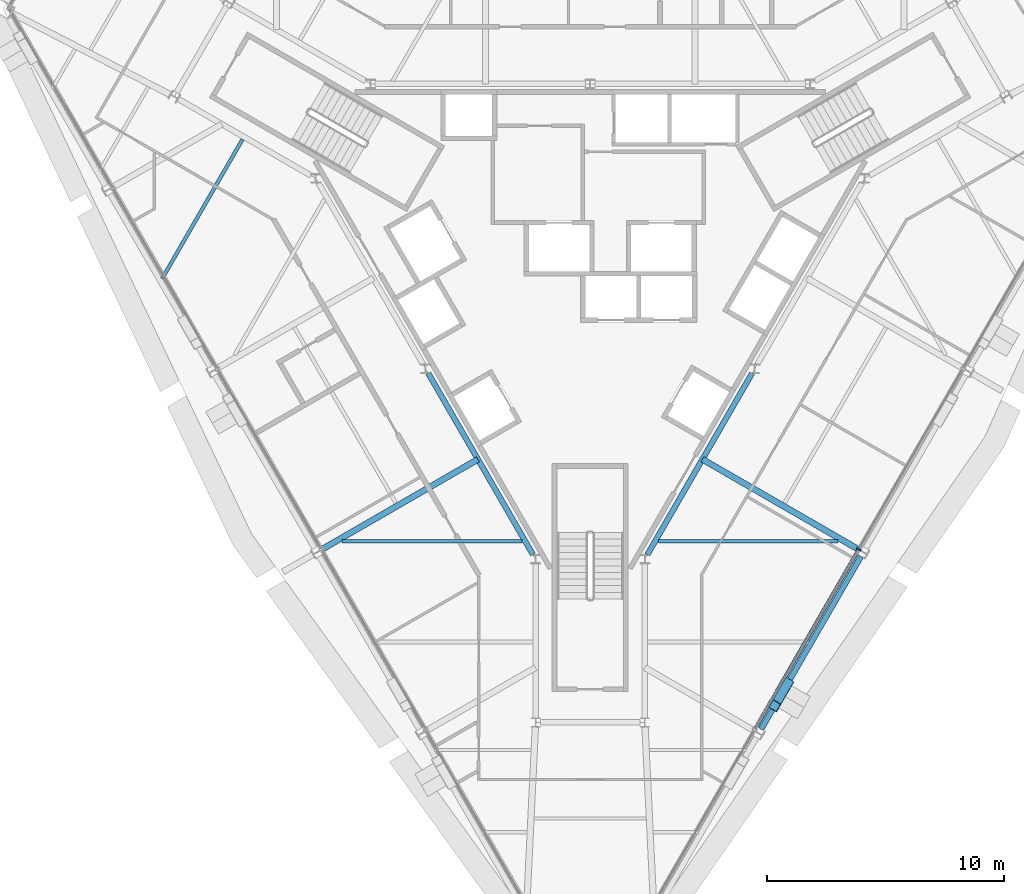
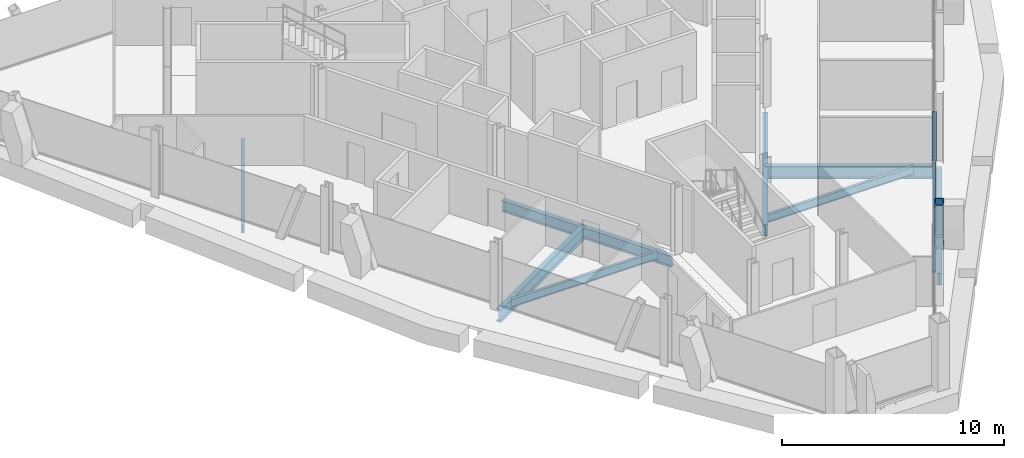
# One storey, part 4 of 14: 8 beams, 3 members, 1 element without a shape of its own.
"""IFC4 building model written with IfcOpenShell, lengths in metres."""

from ifc_helpers import new_model, si_unit, direction, frame, origin, origin_2d, place, context, subcontext, project, spatial, rectangle, hollow_rectangle, i_section, extrude, material, material_profile, profile_set, type_object, element, aggregate, save


model = new_model("IFC4")

# Units and contexts
model_context = context("Model", 3, precision=1e-05, world=origin(), true_north=direction((0.0, 1.0)))
body_context = subcontext(model_context, "Body", "Model", "MODEL_VIEW")
ifc_project = project(units=[si_unit("LENGTHUNIT", "METRE"), si_unit("AREAUNIT", "SQUARE_METRE"), si_unit("VOLUMEUNIT", "CUBIC_METRE"), si_unit("PLANEANGLEUNIT", "RADIAN"), si_unit("MASSUNIT", "GRAM", prefix="KILO")], contexts=[model_context])

# Site, building, storey
site_placement = place(None, origin())
site = spatial("IfcSite", under=ifc_project, at=site_placement, CompositionType="ELEMENT")
building_placement = place(site_placement, origin())
building = spatial("IfcBuilding", under=site, at=building_placement, Name="Verrane Prism Tower", CompositionType="ELEMENT")
storey_placement = place(building_placement, frame((0.0, 0.0, 224.89990234375)))
storey = spatial("IfcBuildingStorey", under=building, at=storey_placement, Name="L56", CompositionType="ELEMENT", Elevation=224.89990234375)

# Beams
ifc_material_1 = material(Name="Steel A992", Category="steel")
ifc_material_profile_1 = material_profile(ifc_material_1, i_section(OverallWidth=0.23046875, OverallDepth=0.6171875, WebThickness=0.01318359375, FlangeThickness=0.022216796875, FilletRadius=0.012939453125, at=origin_2d()), Name="W24x94")
ifc_profile_set_1 = profile_set([ifc_material_profile_1], Name="Steel A992")
beam_type_1 = type_object("IfcBeamType", Name="Core ring girder W24x94", PredefinedType="BEAM", material=ifc_profile_set_1)
for number, where, z_axis, x_axis, name in (
    (1, (-6.818603515625, -4.193115234375, -0.55859375), (0.499987781028, -0.866032458297, 0.0), (0.866032458297, 0.499987781028, 0.0), "Core ring girder L56"),
    (2, (2.411376953125, -11.826904296875, -0.55859375), (0.499987781028, 0.866032458297, 0.0), (-0.866032458297, 0.499987781028, 0.0), "Core ring girder L56"),
):
    element("IfcBeam", number, at=place(storey_placement, frame(where, z_axis=z_axis, x_axis=x_axis)), inside=storey, type_object=beam_type_1, Name=name, PredefinedType="BEAM", context=body_context, shape_type="SweptSolid", body=[
        extrude(i_section(OverallWidth=0.23046875, OverallDepth=0.6171875, WebThickness=0.01318359375, FlangeThickness=0.022216796875, FilletRadius=0.012939453125, at=origin_2d()), origin(), (0.0, 0.0, 1.0), 8.814697265625),
    ])

# Member
ifc_material_2 = material(Name="Steel A500 Grade C", Category="steel")
ifc_material_profile_2 = material_profile(ifc_material_2, hollow_rectangle(XDim=0.406494140625, YDim=0.406494140625, WallThickness=0.01904296875, InnerFilletRadius=0.009521484375, OuterFilletRadius=0.028564453125, at=origin_2d()), Name="HSS16x16x3/4")
ifc_profile_set_2 = profile_set([ifc_material_profile_2], Name="Steel A500 Grade C")
member_type_1 = type_object("IfcMemberType", Name="Facade brace HSS16x16x3/4", PredefinedType="BRACE", material=ifc_profile_set_2)
member_1_placement = place(storey_placement, frame((8.317138671875, -17.254150390625, -0.216552734375), z_axis=(-0.161192322573, -0.278922740316, 0.9466885127), x_axis=(0.865815369445, -0.500363613817, 0.0)))
element("IfcMember", 3, at=member_1_placement, inside=storey, type_object=member_type_1, Name="Facade brace SE1 L56", PredefinedType="BRACE", context=body_context, shape_type="SweptSolid", body=[
    extrude(hollow_rectangle(XDim=0.406494140625, YDim=0.406494140625, WallThickness=0.01904296875, InnerFilletRadius=0.009521484375, OuterFilletRadius=0.028564453125, at=origin_2d()), origin(), (0.0, 0.0, 1.0), 3.3759765625),
])

# Beams
ifc_material_3 = material(Name="Steel A992", Category="steel")
ifc_material_profile_3 = material_profile(ifc_material_3, i_section(OverallWidth=0.15234375, OverallDepth=0.449462890625, WebThickness=0.007568359375, FlangeThickness=0.0107421875, FilletRadius=0.01025390625, at=origin_2d()), Name="W18x35")
ifc_profile_set_3 = profile_set([ifc_material_profile_3], Name="Steel A992")
beam_type_2 = type_object("IfcBeamType", Name="Floor beam W18x35", PredefinedType="BEAM", material=ifc_profile_set_3)
beam_1_placement = place(storey_placement, frame((-18.029541015625, -0.203125, -0.384765625), z_axis=(0.500004319728, 0.866022909774, 0.0), x_axis=(-0.866022909774, 0.500004319728, 0.0)))
element("IfcBeam", 4, at=beam_1_placement, inside=storey, type_object=beam_type_2, Name="Floor beam L56", PredefinedType="BEAM", context=body_context, shape_type="SweptSolid", body=[
    extrude(i_section(OverallWidth=0.15234375, OverallDepth=0.449462890625, WebThickness=0.007568359375, FlangeThickness=0.0107421875, FilletRadius=0.01025390625, at=origin_2d()), origin(), (0.0, 0.0, 1.0), 6.77294921875),
])
for number, where, z_axis, x_axis, name in (
    (5, (-10.443115234375, -11.260009765625, -0.384765625), (1.0, 0.0, 0.0), (0.0, 1.0, 0.0), "Floor beam L56"),
    (6, (2.87158203125, -11.260009765625, -0.384765625), (1.0, 0.0, 0.0), (0.0, 1.0, 0.0), "Floor beam L56"),
):
    element("IfcBeam", number, at=place(storey_placement, frame(where, z_axis=z_axis, x_axis=x_axis)), inside=storey, type_object=beam_type_2, Name=name, PredefinedType="BEAM", context=body_context, shape_type="SweptSolid", body=[
        extrude(i_section(OverallWidth=0.15234375, OverallDepth=0.449462890625, WebThickness=0.007568359375, FlangeThickness=0.0107421875, FilletRadius=0.01025390625, at=origin_2d()), origin(), (0.0, 0.0, 1.0), 7.571533203125),
    ])

# Curtain wall, member
ifc_material_4 = material(Name="Aluminium framed insulated glazing", Category="aluminium")
curtain_wall_type = type_object("IfcCurtainWallType", Name="Curtain wall CW-A 8400 module", PredefinedType="NOTDEFINED", material=ifc_material_4)
curtain_wall_placement = place(storey_placement, origin())
curtain_wall = element("IfcCurtainWall", 7, at=curtain_wall_placement, inside=storey, type_object=curtain_wall_type, Name="Glazed curtain wall south-east face L56", PredefinedType="NOTDEFINED")
ifc_material_5 = material(Name="Aluminium alloy 6063-T6", Category="aluminium")
ifc_material_profile_4 = material_profile(ifc_material_5, rectangle(XDim=0.199951171875, YDim=0.070068359375, at=origin_2d()), Name="Mullion 70x200 aluminium")
ifc_profile_set_4 = profile_set([ifc_material_profile_4], Name="Aluminium alloy 6063-T6")
member_type_2 = type_object("IfcMemberType", Name="Mullion 70x200 aluminium", PredefinedType="MULLION", material=ifc_profile_set_4)
member_2_placement = place(storey_placement, frame((11.31591796875, -11.603759765625, 0.0), z_axis=(0.0, 0.0, 1.0), x_axis=(-0.866024862365, 0.500000937764, 0.0)))
member_2 = element("IfcMember", 8, at=member_2_placement, type_object=member_type_2, Name="CW54.6 mullion 3", PredefinedType="MULLION", context=body_context, shape_type="SweptSolid", body=[
    extrude(rectangle(XDim=0.199951171875, YDim=0.070068359375, at=origin_2d()), origin(), (0.0, 0.0, 1.0), 2.712890625),
])

# Beams
ifc_material_6 = material(Name="Steel A992", Category="steel")
ifc_material_profile_5 = material_profile(ifc_material_6, i_section(OverallWidth=0.25390625, OverallDepth=0.683349609375, WebThickness=0.012451171875, FlangeThickness=0.01904296875, FilletRadius=0.01513671875, at=origin_2d()), Name="W27x94")
ifc_profile_set_5 = profile_set([ifc_material_profile_5], Name="Steel A992")
beam_type_3 = type_object("IfcBeamType", Name="Radial girder W27x94", PredefinedType="BEAM", material=ifc_profile_set_5)
for number, where, z_axis, x_axis, name in (
    (9, (-11.33740234375, -11.63037109375, -0.5615234375), (0.866033767766, 0.499985512879, 0.0), (-0.499985512879, 0.866033767766, 0.0), "Radial girder L56"),
    (10, (11.33740234375, -11.63037109375, -0.5615234375), (-0.866033767766, 0.499985512879, 0.0), (-0.499985512879, -0.866033767766, 0.0), "Radial girder L56"),
):
    element("IfcBeam", number, at=place(storey_placement, frame(where, z_axis=z_axis, x_axis=x_axis)), inside=storey, type_object=beam_type_3, Name=name, PredefinedType="BEAM", context=body_context, shape_type="SweptSolid", body=[
        extrude(i_section(OverallWidth=0.25390625, OverallDepth=0.683349609375, WebThickness=0.012451171875, FlangeThickness=0.01904296875, FilletRadius=0.01513671875, at=origin_2d()), origin(), (0.0, 0.0, 1.0), 7.632080078125),
    ])
ifc_material_7 = material(Name="Steel A992", Category="steel")
ifc_material_profile_6 = material_profile(ifc_material_7, i_section(OverallWidth=0.23046875, OverallDepth=0.6171875, WebThickness=0.01318359375, FlangeThickness=0.022216796875, FilletRadius=0.012939453125, at=origin_2d()), Name="W24x94")
ifc_profile_set_6 = profile_set([ifc_material_profile_6], Name="Steel A992")
beam_type_4 = type_object("IfcBeamType", Name="Spandrel beam W24x94", PredefinedType="SPANDREL", material=ifc_profile_set_6)
beam_2_placement = place(storey_placement, frame((7.200439453125, -19.186279296875, -0.468505859375), z_axis=(0.500418309917, 0.865783757701, 0.0), x_axis=(-0.865783757701, 0.500418309917, 0.0)))
element("IfcBeam", 11, at=beam_2_placement, inside=storey, type_object=beam_type_4, Name="Spandrel beam L56", PredefinedType="SPANDREL", context=body_context, shape_type="SweptSolid", body=[
    extrude(i_section(OverallWidth=0.23046875, OverallDepth=0.6171875, WebThickness=0.01318359375, FlangeThickness=0.022216796875, FilletRadius=0.012939453125, at=origin_2d()), origin(), (0.0, 0.0, 1.0), 8.411376953125),
])

# Member
ifc_material_8 = material(Name="Aluminium alloy 6063-T6", Category="aluminium")
ifc_material_profile_7 = material_profile(ifc_material_8, rectangle(XDim=0.14990234375, YDim=0.070068359375, at=origin_2d()), Name="Transom 70x150 aluminium")
ifc_profile_set_7 = profile_set([ifc_material_profile_7], Name="Aluminium alloy 6063-T6")
member_type_3 = type_object("IfcMemberType", Name="Transom 70x150 aluminium", PredefinedType="USERDEFINED", material=ifc_profile_set_7)
member_3_placement = place(storey_placement, frame((6.9423828125, -19.178955078125, 0.03515625), z_axis=(0.50001192258, 0.86601852017, 0.0), x_axis=(-0.86601852017, 0.50001192258, 0.0)))
member_3 = element("IfcMember", 12, at=member_3_placement, type_object=member_type_3, Name="CW54.6 transom 2", ObjectType="TRANSOM", PredefinedType="USERDEFINED", context=body_context, shape_type="SweptSolid", body=[
    extrude(rectangle(XDim=0.14990234375, YDim=0.070068359375, at=origin_2d()), origin(), (0.0, 0.0, 1.0), 8.712158203125),
])

aggregate(curtain_wall, [member_2, member_3])

save(model, "model.ifc")
